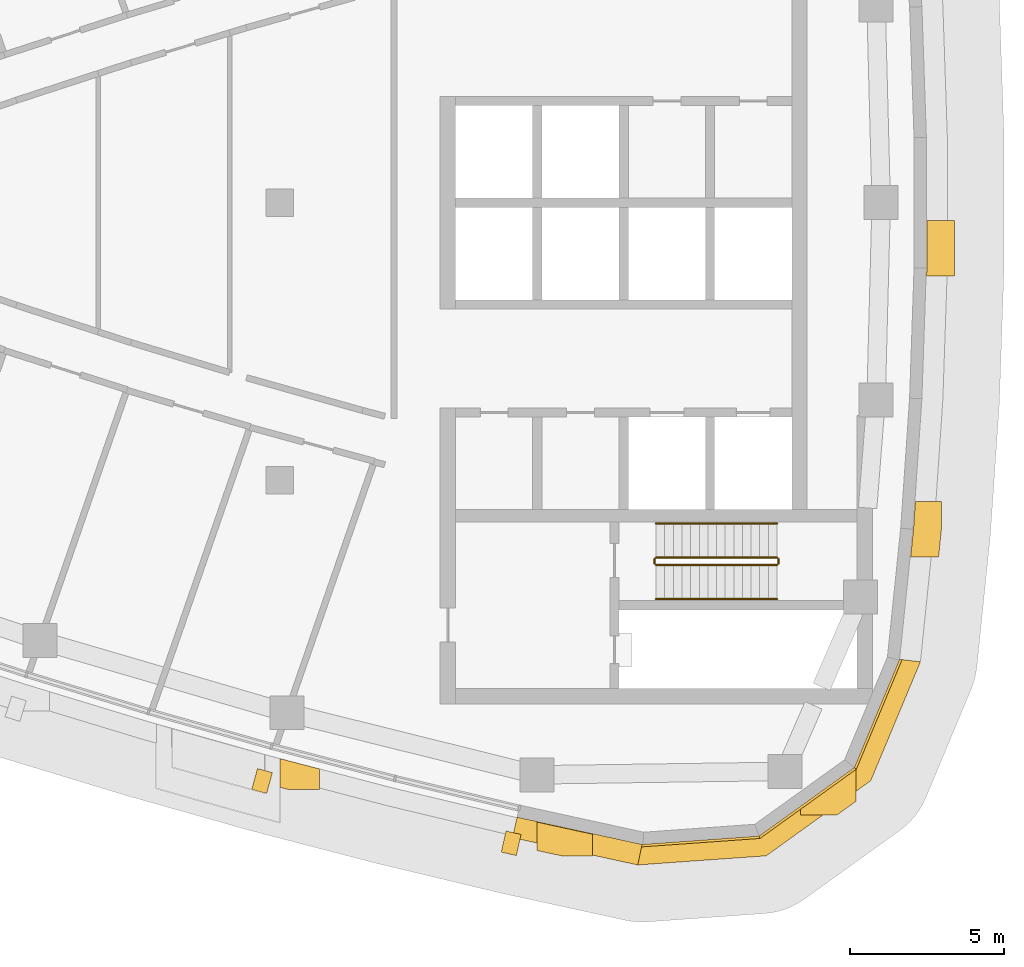
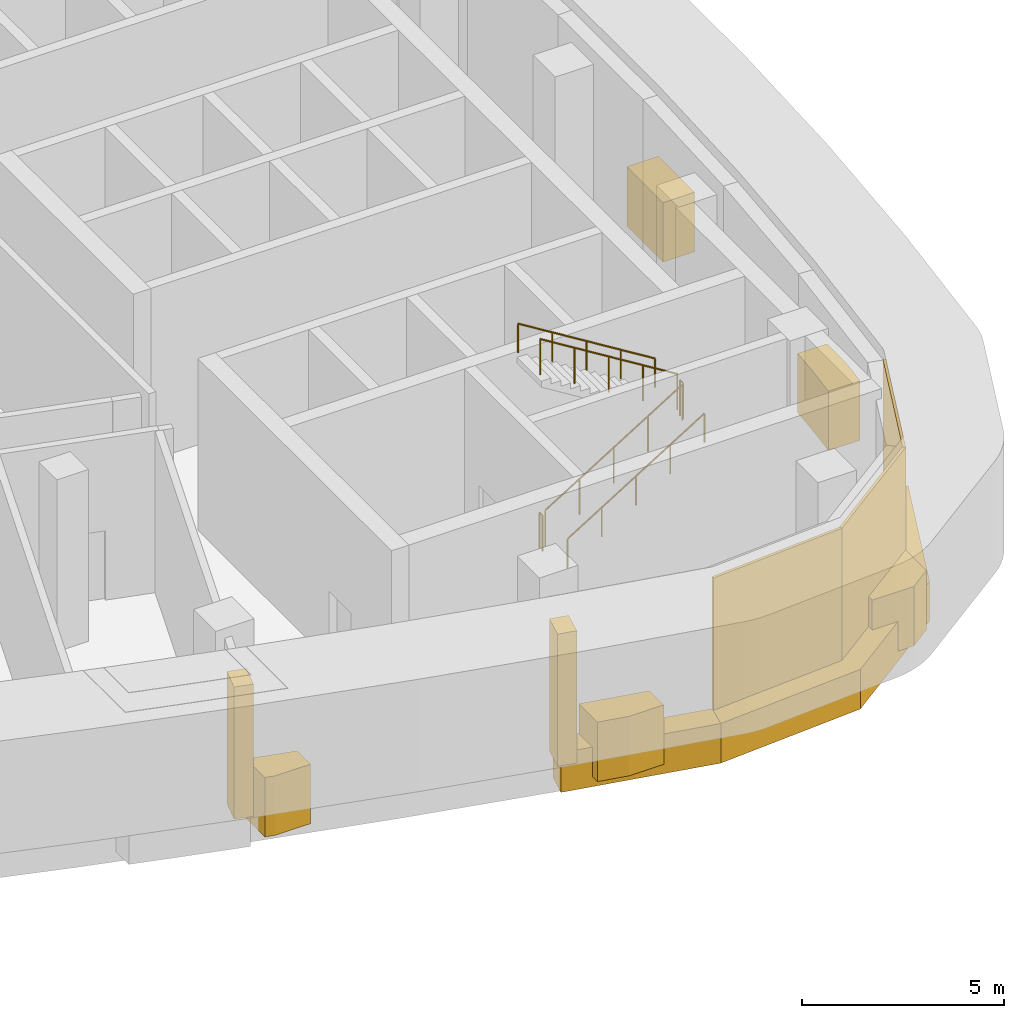
# One storey, part 12 of 14: 12 coverings, 6 railings.
"""IFC4 building model written with IfcOpenShell, lengths in metres."""

import ifcopenshell
import ifcopenshell.guid

model = None  # the IFC model being written
_history = None  # IfcOwnerHistory: only IFC2X3 demands one
_inside = {}  # id of a spatial element -> (the spatial element, [elements in it])
_under = {}  # id of a project, library or spatial element -> (it, [spatial elements below it])
_declared = {}  # id of a project -> (the project, [libraries it declares])
_typed = {}  # id of a type object -> (the type object, [elements of that type])
_made_of = {}  # id of a material, layer set ... -> (it, [elements and type objects made of it])


def new_model(schema):
    """Start an empty IFC model of exactly this schema.

    Asked for "IFC4X3", IfcOpenShell would pick the latest addendum, in which some entities
    have other attributes; the version numbers below select the first issue.
    IFC2X3 requires an IfcOwnerHistory on every rooted entity: one is made here for all.
    """
    global model, _history
    if schema == "IFC4X3":
        model = ifcopenshell.file(schema_version=(4, 3, 0, 0))
    else:
        model = ifcopenshell.file(schema=schema)
    _inside.clear()
    _under.clear()
    _declared.clear()
    _typed.clear()
    _made_of.clear()
    _history = None
    if model.schema == "IFC2X3":
        org = make("IfcOrganization", Name="unknown")
        user = make(
            "IfcPersonAndOrganization",
            ThePerson=make("IfcPerson", FamilyName="unknown"),
            TheOrganization=org,
        )
        app = make(
            "IfcApplication",
            ApplicationDeveloper=org,
            Version="unknown",
            ApplicationFullName="unknown",
            ApplicationIdentifier="unknown",
        )
        _history = make(
            "IfcOwnerHistory",
            OwningUser=user,
            OwningApplication=app,
            ChangeAction="ADDED",
            CreationDate=0,
        )
    return model


def make(cls, **values):
    """One entity of the class cls with the attributes given. An attribute that is None is left unset."""
    return model.create_entity(
        cls, **{name: value for name, value in values.items() if value is not None}
    )


def rooted(cls, **values):
    """An entity with a GlobalId (a new one), such as an element, a storey or a relation."""
    return make(cls, GlobalId=ifcopenshell.guid.new(), OwnerHistory=_history, **values)


def si_unit(unit_type, name, prefix=None):
    """IfcSIUnit, for example si_unit("LENGTHUNIT", "METRE", prefix="MILLI")."""
    return make("IfcSIUnit", UnitType=unit_type, Prefix=prefix, Name=name)


def assignment(units):
    """IfcUnitAssignment: the units of a project."""
    return None if units is None else make("IfcUnitAssignment", Units=units)


def point(xyz):
    """IfcCartesianPoint."""
    return None if xyz is None else make("IfcCartesianPoint", Coordinates=xyz)


def direction(xyz):
    """IfcDirection."""
    return None if xyz is None else make("IfcDirection", DirectionRatios=xyz)


def frame(location, z_axis=None, x_axis=None):
    """IfcAxis2Placement3D, a coordinate frame: its origin and axes. An axis left out is left unset."""
    return make(
        "IfcAxis2Placement3D",
        Location=point(location),
        Axis=direction(z_axis),
        RefDirection=direction(x_axis),
    )


def frame_2d(location, x_axis=None):
    """IfcAxis2Placement2D, a coordinate frame in the plane: its origin and x axis."""
    return make(
        "IfcAxis2Placement2D", Location=point(location), RefDirection=direction(x_axis)
    )


def origin():
    """The frame at (0, 0, 0) with its axes left unset."""
    return frame((0.0, 0.0, 0.0))


def origin_2d():
    """The frame at (0, 0) in the plane with its x axis left unset."""
    return frame_2d((0.0, 0.0))


def place(relative_to, where):
    """IfcLocalPlacement: puts the frame where relative to a parent placement (None: the world)."""
    return make(
        "IfcLocalPlacement", PlacementRelTo=relative_to, RelativePlacement=where
    )


def context(
    kind, dimensions, precision=None, world=None, true_north=None, identifier=None
):
    """IfcGeometricRepresentationContext, for example the 3D "Model" context."""
    return make(
        "IfcGeometricRepresentationContext",
        ContextIdentifier=identifier,
        ContextType=kind,
        CoordinateSpaceDimension=dimensions,
        Precision=precision,
        WorldCoordinateSystem=world,
        TrueNorth=true_north,
    )


def subcontext(parent, identifier, kind, view, scale=None):
    """IfcGeometricRepresentationSubContext, for example "Body" below "Model"."""
    return make(
        "IfcGeometricRepresentationSubContext",
        ContextIdentifier=identifier,
        ContextType=kind,
        ParentContext=parent,
        TargetScale=scale,
        TargetView=view,
    )


def project(units=None, contexts=None):
    """IfcProject with its units and contexts."""
    return rooted(
        "IfcProject",
        Name="project",
        RepresentationContexts=contexts,
        UnitsInContext=assignment(units),
    )


def spatial(cls, under=None, at=None, **own):
    """A site, building, storey or space (cls), placed at a placement, below another one or the project."""
    s = rooted(cls, ObjectPlacement=at, **own)
    if under is not None:
        _under.setdefault(under.id(), (under, []))[1].append(s)
    return s


def polyline(points):
    """IfcPolyline through the points."""
    return make("IfcPolyline", Points=[point(p) for p in points])


def profile(cls, at=None, kind="AREA", **sizes):
    """A parametric profile (cls). Its sizes go by their IFC names, for example OverallWidth=200.0."""
    return make(cls, ProfileType=kind, Position=at, **sizes)


def rectangle(**sizes):
    """IfcRectangleProfileDef."""
    return profile("IfcRectangleProfileDef", **sizes)


def circle(**sizes):
    """IfcCircleProfileDef."""
    return profile("IfcCircleProfileDef", **sizes)


def outline(outer, holes=None, kind="AREA"):
    """IfcArbitraryClosedProfileDef: a profile drawn as a closed curve; with holes, ...WithVoids."""
    if holes is None:
        return make("IfcArbitraryClosedProfileDef", ProfileType=kind, OuterCurve=outer)
    return make(
        "IfcArbitraryProfileDefWithVoids",
        ProfileType=kind,
        OuterCurve=outer,
        InnerCurves=holes,
    )


def extrude(swept, where, along, depth):
    """IfcExtrudedAreaSolid: the profile swept, set in the frame where, extruded along a direction by depth."""
    return make(
        "IfcExtrudedAreaSolid",
        SweptArea=swept,
        Position=where,
        ExtrudedDirection=direction(along),
        Depth=depth,
    )


def shape(context_of_items, identifier, shape_type, items):
    """IfcShapeRepresentation: the items that make up one representation, for example the "Body"."""
    return make(
        "IfcShapeRepresentation",
        ContextOfItems=context_of_items,
        RepresentationIdentifier=identifier,
        RepresentationType=shape_type,
        Items=items,
    )


def material(Name=None, Category=None):
    """IfcMaterial."""
    return make("IfcMaterial", Name=Name, Category=Category)


def layer(
    of_material, thickness, ventilated=None, Name=None, Category=None, Priority=None
):
    """IfcMaterialLayer: one layer of a wall or slab, of a material (None: an air gap)."""
    return make(
        "IfcMaterialLayer",
        Material=of_material,
        LayerThickness=thickness,
        IsVentilated=ventilated,
        Name=Name,
        Category=Category,
        Priority=Priority,
    )


def layer_set(layers, Name=None):
    """IfcMaterialLayerSet."""
    return make("IfcMaterialLayerSet", MaterialLayers=layers, LayerSetName=Name)


def made_of(thing, what):
    """Note that an element or type object is made of a material, layer set ...; save() writes the relation."""
    if what is not None:
        _made_of.setdefault(what.id(), (what, []))[1].append(thing)
    return thing


def type_object(cls, material=None, **own):
    """A type object (cls), such as IfcWallType, which elements share."""
    return made_of(rooted(cls, **own), material)


def element(
    cls,
    number,
    at=None,
    inside=None,
    cuts=None,
    type_object=None,
    material=None,
    context=None,
    identifier="Body",
    shape_type=None,
    held_by="IfcProductDefinitionShape",
    body=None,
    shapes=None,
    **own,
):
    """One element of the class cls, such as IfcWall. Its Tag is "e" and its number.

    at: its placement. inside: the storey or other place that contains it. cuts: it is an
    opening in that element (IfcRelVoidsElement). A single representation is given by context,
    identifier, shape_type and body (its items); several are given by shapes. held_by: the class
    of the entity that holds the representations. save() writes the other relations.
    """
    e = rooted(cls, Tag="e%d" % number, ObjectPlacement=at, **own)
    if body is not None:
        shapes = [shape(context, identifier, shape_type, body)]
    if shapes is not None:
        e.Representation = make(held_by, Representations=shapes)
    if inside is not None:
        _inside.setdefault(inside.id(), (inside, []))[1].append(e)
    if cuts is not None:
        rooted(
            "IfcRelVoidsElement", RelatingBuildingElement=cuts, RelatedOpeningElement=e
        )
    if type_object is not None:
        _typed.setdefault(type_object.id(), (type_object, []))[1].append(e)
    return made_of(e, material)


def aggregate(whole, parts):
    """IfcRelAggregates: a whole, such as a stair, and the parts it consists of."""
    return rooted("IfcRelAggregates", RelatingObject=whole, RelatedObjects=parts)


def save(model, path):
    """Write the relations noted so far, then the file.

    IfcRelAggregates (storeys below a building ...), IfcRelContainedInSpatialStructure (elements
    in a storey), IfcRelDefinesByType, IfcRelAssociatesMaterial and IfcRelDeclares: one each for
    every whole, place, type object, material and project.
    """
    for whole, parts in _under.values():
        aggregate(whole, parts)
    for where, things in _inside.values():
        rooted(
            "IfcRelContainedInSpatialStructure",
            RelatedElements=things,
            RelatingStructure=where,
        )
    for kind, things in _typed.values():
        rooted("IfcRelDefinesByType", RelatedObjects=things, RelatingType=kind)
    for what, things in _made_of.values():
        rooted("IfcRelAssociatesMaterial", RelatedObjects=things, RelatingMaterial=what)
    for by, libraries in _declared.values():
        rooted("IfcRelDeclares", RelatingContext=by, RelatedDefinitions=libraries)
    model.write(path)


model = new_model("IFC4")

# Units and contexts
model_context = context("Model", 3, precision=1e-05, world=origin(), true_north=direction((0.0, 1.0)))
body_context = subcontext(model_context, "Body", "Model", "MODEL_VIEW")
ifc_project = project(units=[si_unit("LENGTHUNIT", "METRE"), si_unit("AREAUNIT", "SQUARE_METRE"), si_unit("VOLUMEUNIT", "CUBIC_METRE"), si_unit("PLANEANGLEUNIT", "RADIAN"), si_unit("MASSUNIT", "GRAM", prefix="KILO")], contexts=[model_context])

# Site, building, storey
site_placement = place(None, origin())
site = spatial("IfcSite", under=ifc_project, at=site_placement, CompositionType="ELEMENT")
building_placement = place(site_placement, origin())
building = spatial("IfcBuilding", under=site, at=building_placement, Name="Ostrand Prow Hotel Tower", CompositionType="ELEMENT")
storey_placement = place(building_placement, frame((0.0, 0.0, 303.39990234375)))
storey = spatial("IfcBuildingStorey", under=building, at=storey_placement, Name="L77", CompositionType="ELEMENT", Elevation=303.39990234375)

# Coverings
ifc_material_1 = material(Name="Limestone cladding", Category="masonry")
ifc_layer_1 = layer(ifc_material_1, 2.0)
ifc_layer_set_1 = layer_set([ifc_layer_1], Name="Limestone cladding")
covering_type_1 = type_object("IfcCoveringType", Name="Belt lip limestone", PredefinedType="CLADDING", material=ifc_layer_set_1)
covering_1_placement = place(storey_placement, origin())
element("IfcCovering", 1, at=covering_1_placement, inside=storey, type_object=covering_type_1, Name="Belt fin 6 L77", PredefinedType="CLADDING", context=body_context, shape_type="SweptSolid", body=[
    extrude(outline(polyline([(45.010009765625, -18.958251953125), (45.26806640625, -19.025390625), (46.283447265625, -19.025390625), (46.283447265625, -18.360107421875), (45.010009765625, -18.028076171875), (45.010009765625, -18.029052734375), (45.010009765625, -18.958251953125)])), origin(), (0.0, 0.0, 1.0), 1.800048828125),
])
covering_2_placement = place(storey_placement, origin())
element("IfcCovering", 2, at=covering_2_placement, inside=storey, type_object=covering_type_1, Name="Belt fin 7 L77", PredefinedType="CLADDING", context=body_context, shape_type="SweptSolid", body=[
    extrude(outline(polyline([(53.343994140625, -21.0078125), (54.147216796875, -21.18310546875), (55.14404296875, -21.18310546875), (55.14404296875, -20.4794921875), (53.343994140625, -20.086669921875), (53.343994140625, -21.0078125)])), origin(), (0.0, 0.0, 1.0), 1.800048828125),
])
covering_3_placement = place(storey_placement, origin())
element("IfcCovering", 3, at=covering_3_placement, inside=storey, type_object=covering_type_1, Name="Belt fin 8 L77", PredefinedType="CLADDING", context=body_context, shape_type="SweptSolid", body=[
    extrude(outline(polyline([(63.069091796875, -19.850830078125), (63.67919921875, -19.412353515625), (63.67919921875, -18.2451171875), (63.644287109375, -18.3291015625), (61.879150390625, -19.597900390625), (61.879150390625, -19.850830078125), (63.069091796875, -19.850830078125)])), origin(), (0.0, 0.0, 1.0), 1.800048828125),
])
covering_4_placement = place(storey_placement, origin())
element("IfcCovering", 4, at=covering_4_placement, inside=storey, type_object=covering_type_1, Name="Belt fin 9 L77", PredefinedType="CLADDING", context=body_context, shape_type="SweptSolid", body=[
    extrude(outline(polyline([(66.445556640625, -10.651123046875), (66.44775390625, -10.62158203125), (66.44775390625, -9.6904296875), (65.609375, -9.6904296875), (65.547607421875, -10.58984375), (65.455078125, -11.490478515625), (66.35986328125, -11.490478515625), (66.443115234375, -10.681884765625), (66.445556640625, -10.651123046875)])), origin(), (0.0, 0.0, 1.0), 1.800048828125),
])
covering_5_placement = place(storey_placement, origin())
element("IfcCovering", 5, at=covering_5_placement, inside=storey, type_object=covering_type_1, Name="Belt fin 10 L77", PredefinedType="CLADDING", context=body_context, shape_type="SweptSolid", body=[
    extrude(outline(polyline([(66.8818359375, -2.120361328125), (66.8818359375, -0.582275390625), (65.98193359375, -0.582275390625), (65.98193359375, -2.120361328125), (65.972900390625, -2.38232421875), (66.87353515625, -2.38232421875), (66.88134765625, -2.151123046875), (66.8818359375, -2.120361328125)])), origin(), (0.0, 0.0, 1.0), 1.800048828125),
])
ifc_material_2 = material(Name="Bronze anodised aluminium cladding", Category="aluminium")
ifc_layer_2 = layer(ifc_material_2, 0.60009765625)
ifc_layer_set_2 = layer_set([ifc_layer_2], Name="Bronze anodised aluminium cladding")
covering_type_2 = type_object("IfcCoveringType", Name="Bronze spandrel band 1200x600", PredefinedType="CLADDING", material=ifc_layer_set_2)
covering_6_placement = place(storey_placement, frame((0.0, 0.0, -0.2998046875)))
element("IfcCovering", 6, at=covering_6_placement, inside=storey, type_object=covering_type_2, Name="Spandrel band back 1", PredefinedType="CLADDING", context=body_context, shape_type="SweptSolid", body=[
    extrude(outline(polyline([(52.542236328125, -20.58984375), (56.606201171875, -21.476318359375), (56.744384765625, -20.810546875), (52.69384765625, -19.927001953125), (52.542236328125, -20.58984375)])), origin(), (0.0, 0.0, 1.0), 1.199951171875),
])
covering_7_placement = place(storey_placement, frame((0.0, 0.0, -0.2998046875)))
element("IfcCovering", 7, at=covering_7_placement, inside=storey, type_object=covering_type_2, Name="Spandrel band back 2", PredefinedType="CLADDING", context=body_context, shape_type="SweptSolid", body=[
    extrude(outline(polyline([(56.606201171875, -21.476318359375), (60.771728515625, -21.17919921875), (64.162841796875, -18.741455078125), (65.77197265625, -14.887451171875), (65.17626953125, -14.81591796875), (63.693115234375, -18.3681640625), (60.567626953125, -20.614990234375), (56.72802734375, -20.888916015625), (56.606201171875, -21.476318359375)])), origin(), (0.0, 0.0, 1.0), 1.199951171875),
])
ifc_material_3 = material(Name="Limestone cladding", Category="masonry")
ifc_layer_3 = layer(ifc_material_3, 0.5)
ifc_layer_set_3 = layer_set([ifc_layer_3], Name="Limestone cladding")
covering_type_3 = type_object("IfcCoveringType", Name="Precast stone fin 500x600", PredefinedType="CLADDING", material=ifc_layer_set_3)
covering_8_placement = place(storey_placement, frame((44.514404296875, -18.41552734375, 0.900146484375), z_axis=(0.0, 0.0, 1.0), x_axis=(-0.261848568536, -0.965108971648, 0.0)))
element("IfcCovering", 8, at=covering_8_placement, inside=storey, type_object=covering_type_3, Name="Stone fin S 9", PredefinedType="CLADDING", context=body_context, shape_type="SweptSolid", body=[
    extrude(rectangle(XDim=0.7001953125, YDim=0.5, at=frame_2d((0.35009765625, 0.0))), origin(), (0.0, 0.0, 1.0), 4.0),
])
covering_9_placement = place(storey_placement, frame((52.578369140625, -20.431396484375, 0.900146484375), z_axis=(0.0, 0.0, 1.0), x_axis=(-0.222872153431, -0.974847682064, 0.0)))
element("IfcCovering", 9, at=covering_9_placement, inside=storey, type_object=covering_type_3, Name="Stone fin S 11", PredefinedType="CLADDING", context=body_context, shape_type="SweptSolid", body=[
    extrude(rectangle(XDim=0.699951171875, YDim=0.5, at=frame_2d((0.35009765625, 0.0))), origin(), (0.0, 0.0, 1.0), 4.0),
])

# Railings
ifc_material_4 = material(Name="Painted steel", Category="steel")
railing_type_1 = type_object("IfcRailingType", Name="Stair guard 1100", PredefinedType="GUARDRAIL", material=ifc_material_4)
railing_1_placement = place(storey_placement, frame((57.199951171875, -11.75, 0.17333984375)))
element("IfcRailing", 10, at=railing_1_placement, inside=storey, type_object=railing_type_1, Name="L77 ST2C stair guard 1", PredefinedType="GUARDRAIL", context=body_context, shape_type="SweptSolid", body=[
    extrude(circle(Radius=0.02392578125, at=origin_2d()), frame((0.0, 0.0, 1.076171875), z_axis=(0.850266275192, 0.0, 0.526352791643), x_axis=(0.0, 1.0, 0.0)), (0.0, 0.0, 1.0), 4.610595703125),
    extrude(circle(Radius=0.02099609375, at=origin_2d()), origin(), (0.0, 0.0, 1.0), 1.052001953125),
    extrude(circle(Radius=0.02099609375, at=origin_2d()), frame((0.97998046875, 0.0, 0.606689453125)), (0.0, 0.0, 1.0), 1.052001953125),
    extrude(circle(Radius=0.02099609375, at=origin_2d()), frame((1.9599609375, 0.0, 1.21337890625)), (0.0, 0.0, 1.0), 1.052001953125),
    extrude(circle(Radius=0.02099609375, at=origin_2d()), frame((2.940185546875, 0.0, 1.820068359375)), (0.0, 0.0, 1.0), 1.052001953125),
    extrude(circle(Radius=0.02099609375, at=origin_2d()), frame((3.920166015625, 0.0, 2.4267578125)), (0.0, 0.0, 1.0), 1.052001953125),
])
railing_2_placement = place(storey_placement, frame((61.169921875, -11.699951171875, 2.60009765625)))
element("IfcRailing", 11, at=railing_2_placement, inside=storey, type_object=railing_type_1, Name="L77 ST2C stair guard 2", PredefinedType="GUARDRAIL", context=body_context, shape_type="SweptSolid", body=[
    extrude(circle(Radius=0.02392578125, at=origin_2d()), frame((0.0, 0.0, 1.076171875), z_axis=(0.0, 1.0, 0.0), x_axis=(-1.0, 0.0, 0.0)), (0.0, 0.0, 1.0), 0.14990234375),
    extrude(circle(Radius=0.02099609375, at=origin_2d()), origin(), (0.0, 0.0, 1.0), 1.052001953125),
    extrude(circle(Radius=0.02099609375, at=origin_2d()), frame((0.0, 0.14990234375, 0.0)), (0.0, 0.0, 1.0), 1.052001953125),
])
railing_3_placement = place(storey_placement, frame((61.1201171875, -11.5, 2.7734375)))
element("IfcRailing", 12, at=railing_3_placement, inside=storey, type_object=railing_type_1, Name="L77 ST2C stair guard 3", PredefinedType="GUARDRAIL", context=body_context, shape_type="SweptSolid", body=[
    extrude(circle(Radius=0.02392578125, at=origin_2d()), frame((0.0, 0.0, 1.076171875), z_axis=(-0.850266275192, 0.0, 0.526352791643), x_axis=(0.0, -1.0, 0.0)), (0.0, 0.0, 1.0), 4.610595703125),
    extrude(circle(Radius=0.02099609375, at=origin_2d()), origin(), (0.0, 0.0, 1.0), 1.052001953125),
    extrude(circle(Radius=0.02099609375, at=origin_2d()), frame((-0.97998046875, 0.0, 0.606689453125)), (0.0, 0.0, 1.0), 1.052001953125),
    extrude(circle(Radius=0.02099609375, at=origin_2d()), frame((-1.9599609375, 0.0, 1.21337890625)), (0.0, 0.0, 1.0), 1.052001953125),
    extrude(circle(Radius=0.02099609375, at=origin_2d()), frame((-2.940185546875, 0.0, 1.820068359375)), (0.0, 0.0, 1.0), 1.052001953125),
    extrude(circle(Radius=0.02099609375, at=origin_2d()), frame((-3.920166015625, 0.0, 2.4267578125)), (0.0, 0.0, 1.0), 1.052001953125),
])
railing_4_placement = place(storey_placement, frame((57.14990234375, -11.699951171875, 0.0)))
element("IfcRailing", 13, at=railing_4_placement, inside=storey, type_object=railing_type_1, Name="L77 ST2C stair guard 4", PredefinedType="GUARDRAIL", context=body_context, shape_type="SweptSolid", body=[
    extrude(circle(Radius=0.02392578125, at=origin_2d()), frame((0.0, 0.0, 1.076171875), z_axis=(0.0, 1.0, 0.0), x_axis=(-1.0, 0.0, 0.0)), (0.0, 0.0, 1.0), 0.14990234375),
    extrude(circle(Radius=0.02099609375, at=origin_2d()), origin(), (0.0, 0.0, 1.0), 1.052001953125),
    extrude(circle(Radius=0.02099609375, at=origin_2d()), frame((0.0, 0.14990234375, 0.0)), (0.0, 0.0, 1.0), 1.052001953125),
])
ifc_material_5 = material(Name="Stainless steel", Category="steel")
railing_type_2 = type_object("IfcRailingType", Name="Stair handrail 900", PredefinedType="HANDRAIL", material=ifc_material_5)
railing_5_placement = place(storey_placement, frame((57.199951171875, -12.85009765625, 0.17333984375)))
element("IfcRailing", 14, at=railing_5_placement, inside=storey, type_object=railing_type_2, Name="L77 ST2C stair handrail 1", PredefinedType="HANDRAIL", context=body_context, shape_type="SweptSolid", body=[
    extrude(circle(Radius=0.02392578125, at=origin_2d()), frame((0.0, 0.0, 0.8759765625), z_axis=(0.850266275192, 0.0, 0.526352791643), x_axis=(0.0, 1.0, 0.0)), (0.0, 0.0, 1.0), 4.610595703125),
    extrude(circle(Radius=0.02099609375, at=origin_2d()), origin(), (0.0, 0.0, 1.0), 0.851806640625),
    extrude(circle(Radius=0.02099609375, at=origin_2d()), frame((0.97998046875, 0.0, 0.606689453125)), (0.0, 0.0, 1.0), 0.851806640625),
    extrude(circle(Radius=0.02099609375, at=origin_2d()), frame((1.9599609375, 0.0, 1.21337890625)), (0.0, 0.0, 1.0), 0.851806640625),
    extrude(circle(Radius=0.02099609375, at=origin_2d()), frame((2.940185546875, 0.0, 1.820068359375)), (0.0, 0.0, 1.0), 0.851806640625),
    extrude(circle(Radius=0.02099609375, at=origin_2d()), frame((3.920166015625, 0.0, 2.4267578125)), (0.0, 0.0, 1.0), 0.851806640625),
])
railing_6_placement = place(storey_placement, frame((61.1201171875, -10.39990234375, 2.7734375)))
element("IfcRailing", 15, at=railing_6_placement, inside=storey, type_object=railing_type_2, Name="L77 ST2C stair handrail 2", PredefinedType="HANDRAIL", context=body_context, shape_type="SweptSolid", body=[
    extrude(circle(Radius=0.02392578125, at=origin_2d()), frame((0.0, 0.0, 0.8759765625), z_axis=(-0.850266275192, 0.0, 0.526352791643), x_axis=(0.0, -1.0, 0.0)), (0.0, 0.0, 1.0), 4.610595703125),
    extrude(circle(Radius=0.02099609375, at=origin_2d()), origin(), (0.0, 0.0, 1.0), 0.851806640625),
    extrude(circle(Radius=0.02099609375, at=origin_2d()), frame((-0.97998046875, 0.0, 0.606689453125)), (0.0, 0.0, 1.0), 0.851806640625),
    extrude(circle(Radius=0.02099609375, at=origin_2d()), frame((-1.9599609375, 0.0, 1.21337890625)), (0.0, 0.0, 1.0), 0.851806640625),
    extrude(circle(Radius=0.02099609375, at=origin_2d()), frame((-2.940185546875, 0.0, 1.820068359375)), (0.0, 0.0, 1.0), 0.851806640625),
    extrude(circle(Radius=0.02099609375, at=origin_2d()), frame((-3.920166015625, 0.0, 2.4267578125)), (0.0, 0.0, 1.0), 0.851806640625),
])

# Coverings
ifc_material_6 = material(Name="Limestone cladding", Category="masonry")
ifc_layer_4 = layer(ifc_material_6, 0.080078125)
ifc_layer_set_4 = layer_set([ifc_layer_4], Name="Limestone cladding")
covering_type_4 = type_object("IfcCoveringType", Name="Warm limestone cladding 80 mm", PredefinedType="CLADDING", material=ifc_layer_set_4)
covering_10_placement = place(storey_placement, frame((56.736083984375, -20.849853515625, 0.0), z_axis=(0.0, 0.0, 1.0), x_axis=(0.997463230726, 0.071183589045, 0.0)))
element("IfcCovering", 16, at=covering_10_placement, inside=storey, type_object=covering_type_4, Name="Limestone cladding back 2", PredefinedType="CLADDING", context=body_context, shape_type="SweptSolid", body=[
    extrude(outline(polyline([(-0.005859375, -0.0400390625), (3.8388671875, -0.0400390625), (3.81640625, 0.0400390625), (0.005859375, 0.0400390625), (-0.005859375, -0.0400390625)])), origin(), (0.0, 0.0, 1.0), 4.900146484375),
])
covering_11_placement = place(storey_placement, frame((60.553955078125, -20.577392578125, 0.0), z_axis=(0.0, 0.0, 1.0), x_axis=(0.811975694159, 0.583691247231, 0.0)))
element("IfcCovering", 17, at=covering_11_placement, inside=storey, type_object=covering_type_4, Name="Limestone cladding back 3", PredefinedType="CLADDING", context=body_context, shape_type="SweptSolid", body=[
    extrude(outline(polyline([(-0.01123046875, -0.0400390625), (3.8388671875, -0.0400390625), (3.81640625, 0.0400390625), (0.01123046875, 0.0400390625), (-0.01123046875, -0.0400390625)])), origin(), (0.0, 0.0, 1.0), 4.900146484375),
])
covering_12_placement = place(storey_placement, frame((63.661865234375, -18.34326171875, 0.0), z_axis=(0.0, 0.0, 1.0), x_axis=(0.385272026688, 0.922803048029, 0.0)))
element("IfcCovering", 18, at=covering_12_placement, inside=storey, type_object=covering_type_4, Name="Limestone cladding back 4", PredefinedType="CLADDING", context=body_context, shape_type="SweptSolid", body=[
    extrude(outline(polyline([(-0.01123046875, -0.0400390625), (3.833251953125, -0.0400390625), (3.821533203125, 0.0400390625), (0.01123046875, 0.0400390625), (-0.01123046875, -0.0400390625)])), origin(), (0.0, 0.0, 1.0), 4.900146484375),
])

save(model, "model.ifc")
